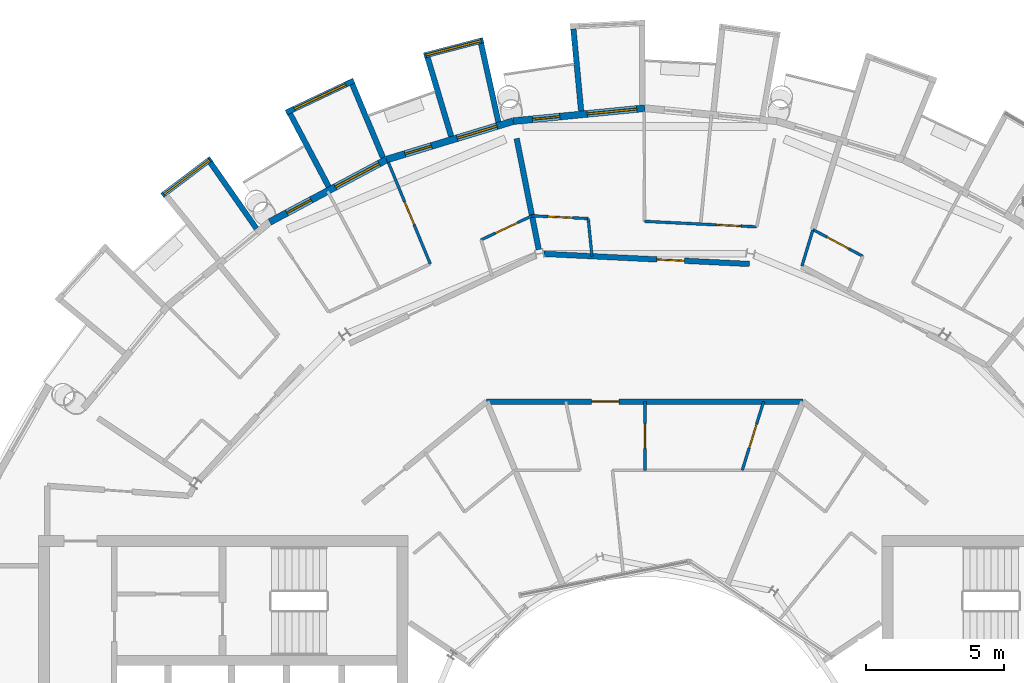
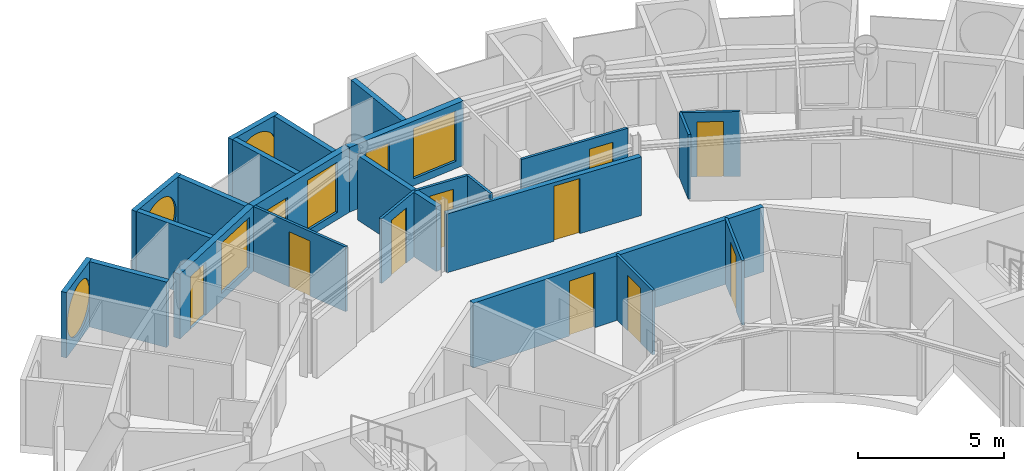
# One storey, part 21 of 27: 24 walls, 12 doors, 6 windows, 18 openings.
"""IFC4 building model written with IfcOpenShell, lengths in metres."""

import ifcopenshell
import ifcopenshell.guid

model = None  # the IFC model being written
_history = None  # IfcOwnerHistory: only IFC2X3 demands one
_inside = {}  # id of a spatial element -> (the spatial element, [elements in it])
_under = {}  # id of a project, library or spatial element -> (it, [spatial elements below it])
_declared = {}  # id of a project -> (the project, [libraries it declares])
_typed = {}  # id of a type object -> (the type object, [elements of that type])
_made_of = {}  # id of a material, layer set ... -> (it, [elements and type objects made of it])


def new_model(schema):
    """Start an empty IFC model of exactly this schema.

    Asked for "IFC4X3", IfcOpenShell would pick the latest addendum, in which some entities
    have other attributes; the version numbers below select the first issue.
    IFC2X3 requires an IfcOwnerHistory on every rooted entity: one is made here for all.
    """
    global model, _history
    if schema == "IFC4X3":
        model = ifcopenshell.file(schema_version=(4, 3, 0, 0))
    else:
        model = ifcopenshell.file(schema=schema)
    _inside.clear()
    _under.clear()
    _declared.clear()
    _typed.clear()
    _made_of.clear()
    _history = None
    if model.schema == "IFC2X3":
        org = make("IfcOrganization", Name="unknown")
        user = make(
            "IfcPersonAndOrganization",
            ThePerson=make("IfcPerson", FamilyName="unknown"),
            TheOrganization=org,
        )
        app = make(
            "IfcApplication",
            ApplicationDeveloper=org,
            Version="unknown",
            ApplicationFullName="unknown",
            ApplicationIdentifier="unknown",
        )
        _history = make(
            "IfcOwnerHistory",
            OwningUser=user,
            OwningApplication=app,
            ChangeAction="ADDED",
            CreationDate=0,
        )
    return model


def make(cls, **values):
    """One entity of the class cls with the attributes given. An attribute that is None is left unset."""
    return model.create_entity(
        cls, **{name: value for name, value in values.items() if value is not None}
    )


def rooted(cls, **values):
    """An entity with a GlobalId (a new one), such as an element, a storey or a relation."""
    return make(cls, GlobalId=ifcopenshell.guid.new(), OwnerHistory=_history, **values)


def si_unit(unit_type, name, prefix=None):
    """IfcSIUnit, for example si_unit("LENGTHUNIT", "METRE", prefix="MILLI")."""
    return make("IfcSIUnit", UnitType=unit_type, Prefix=prefix, Name=name)


def assignment(units):
    """IfcUnitAssignment: the units of a project."""
    return None if units is None else make("IfcUnitAssignment", Units=units)


def point(xyz):
    """IfcCartesianPoint."""
    return None if xyz is None else make("IfcCartesianPoint", Coordinates=xyz)


def direction(xyz):
    """IfcDirection."""
    return None if xyz is None else make("IfcDirection", DirectionRatios=xyz)


def frame(location, z_axis=None, x_axis=None):
    """IfcAxis2Placement3D, a coordinate frame: its origin and axes. An axis left out is left unset."""
    return make(
        "IfcAxis2Placement3D",
        Location=point(location),
        Axis=direction(z_axis),
        RefDirection=direction(x_axis),
    )


def frame_2d(location, x_axis=None):
    """IfcAxis2Placement2D, a coordinate frame in the plane: its origin and x axis."""
    return make(
        "IfcAxis2Placement2D", Location=point(location), RefDirection=direction(x_axis)
    )


def origin():
    """The frame at (0, 0, 0) with its axes left unset."""
    return frame((0.0, 0.0, 0.0))


def place(relative_to, where):
    """IfcLocalPlacement: puts the frame where relative to a parent placement (None: the world)."""
    return make(
        "IfcLocalPlacement", PlacementRelTo=relative_to, RelativePlacement=where
    )


def context(
    kind, dimensions, precision=None, world=None, true_north=None, identifier=None
):
    """IfcGeometricRepresentationContext, for example the 3D "Model" context."""
    return make(
        "IfcGeometricRepresentationContext",
        ContextIdentifier=identifier,
        ContextType=kind,
        CoordinateSpaceDimension=dimensions,
        Precision=precision,
        WorldCoordinateSystem=world,
        TrueNorth=true_north,
    )


def subcontext(parent, identifier, kind, view, scale=None):
    """IfcGeometricRepresentationSubContext, for example "Body" below "Model"."""
    return make(
        "IfcGeometricRepresentationSubContext",
        ContextIdentifier=identifier,
        ContextType=kind,
        ParentContext=parent,
        TargetScale=scale,
        TargetView=view,
    )


def project(units=None, contexts=None):
    """IfcProject with its units and contexts."""
    return rooted(
        "IfcProject",
        Name="project",
        RepresentationContexts=contexts,
        UnitsInContext=assignment(units),
    )


def spatial(cls, under=None, at=None, **own):
    """A site, building, storey or space (cls), placed at a placement, below another one or the project."""
    s = rooted(cls, ObjectPlacement=at, **own)
    if under is not None:
        _under.setdefault(under.id(), (under, []))[1].append(s)
    return s


def profile(cls, at=None, kind="AREA", **sizes):
    """A parametric profile (cls). Its sizes go by their IFC names, for example OverallWidth=200.0."""
    return make(cls, ProfileType=kind, Position=at, **sizes)


def rectangle(**sizes):
    """IfcRectangleProfileDef."""
    return profile("IfcRectangleProfileDef", **sizes)


def circle(**sizes):
    """IfcCircleProfileDef."""
    return profile("IfcCircleProfileDef", **sizes)


def extrude(swept, where, along, depth):
    """IfcExtrudedAreaSolid: the profile swept, set in the frame where, extruded along a direction by depth."""
    return make(
        "IfcExtrudedAreaSolid",
        SweptArea=swept,
        Position=where,
        ExtrudedDirection=direction(along),
        Depth=depth,
    )


def shape(context_of_items, identifier, shape_type, items):
    """IfcShapeRepresentation: the items that make up one representation, for example the "Body"."""
    return make(
        "IfcShapeRepresentation",
        ContextOfItems=context_of_items,
        RepresentationIdentifier=identifier,
        RepresentationType=shape_type,
        Items=items,
    )


def material(Name=None, Category=None):
    """IfcMaterial."""
    return make("IfcMaterial", Name=Name, Category=Category)


def layer(
    of_material, thickness, ventilated=None, Name=None, Category=None, Priority=None
):
    """IfcMaterialLayer: one layer of a wall or slab, of a material (None: an air gap)."""
    return make(
        "IfcMaterialLayer",
        Material=of_material,
        LayerThickness=thickness,
        IsVentilated=ventilated,
        Name=Name,
        Category=Category,
        Priority=Priority,
    )


def layer_set(layers, Name=None):
    """IfcMaterialLayerSet."""
    return make("IfcMaterialLayerSet", MaterialLayers=layers, LayerSetName=Name)


def made_of(thing, what):
    """Note that an element or type object is made of a material, layer set ...; save() writes the relation."""
    if what is not None:
        _made_of.setdefault(what.id(), (what, []))[1].append(thing)
    return thing


def type_object(cls, material=None, **own):
    """A type object (cls), such as IfcWallType, which elements share."""
    return made_of(rooted(cls, **own), material)


def element(
    cls,
    number,
    at=None,
    inside=None,
    cuts=None,
    type_object=None,
    material=None,
    context=None,
    identifier="Body",
    shape_type=None,
    held_by="IfcProductDefinitionShape",
    body=None,
    shapes=None,
    **own,
):
    """One element of the class cls, such as IfcWall. Its Tag is "e" and its number.

    at: its placement. inside: the storey or other place that contains it. cuts: it is an
    opening in that element (IfcRelVoidsElement). A single representation is given by context,
    identifier, shape_type and body (its items); several are given by shapes. held_by: the class
    of the entity that holds the representations. save() writes the other relations.
    """
    e = rooted(cls, Tag="e%d" % number, ObjectPlacement=at, **own)
    if body is not None:
        shapes = [shape(context, identifier, shape_type, body)]
    if shapes is not None:
        e.Representation = make(held_by, Representations=shapes)
    if inside is not None:
        _inside.setdefault(inside.id(), (inside, []))[1].append(e)
    if cuts is not None:
        rooted(
            "IfcRelVoidsElement", RelatingBuildingElement=cuts, RelatedOpeningElement=e
        )
    if type_object is not None:
        _typed.setdefault(type_object.id(), (type_object, []))[1].append(e)
    return made_of(e, material)


def fill(opening, filler):
    """IfcRelFillsElement: the door or window that sits in an opening."""
    return rooted(
        "IfcRelFillsElement",
        RelatingOpeningElement=opening,
        RelatedBuildingElement=filler,
    )


def aggregate(whole, parts):
    """IfcRelAggregates: a whole, such as a stair, and the parts it consists of."""
    return rooted("IfcRelAggregates", RelatingObject=whole, RelatedObjects=parts)


def save(model, path):
    """Write the relations noted so far, then the file.

    IfcRelAggregates (storeys below a building ...), IfcRelContainedInSpatialStructure (elements
    in a storey), IfcRelDefinesByType, IfcRelAssociatesMaterial and IfcRelDeclares: one each for
    every whole, place, type object, material and project.
    """
    for whole, parts in _under.values():
        aggregate(whole, parts)
    for where, things in _inside.values():
        rooted(
            "IfcRelContainedInSpatialStructure",
            RelatedElements=things,
            RelatingStructure=where,
        )
    for kind, things in _typed.values():
        rooted("IfcRelDefinesByType", RelatedObjects=things, RelatingType=kind)
    for what, things in _made_of.values():
        rooted("IfcRelAssociatesMaterial", RelatedObjects=things, RelatingMaterial=what)
    for by, libraries in _declared.values():
        rooted("IfcRelDeclares", RelatingContext=by, RelatedDefinitions=libraries)
    model.write(path)


model = new_model("IFC4")

# Units and contexts
model_context = context("Model", 3, precision=1e-05, world=origin(), true_north=direction((0.0, 1.0)))
body_context = subcontext(model_context, "Body", "Model", "MODEL_VIEW")
ifc_project = project(units=[si_unit("LENGTHUNIT", "METRE"), si_unit("AREAUNIT", "SQUARE_METRE"), si_unit("VOLUMEUNIT", "CUBIC_METRE"), si_unit("PLANEANGLEUNIT", "RADIAN"), si_unit("MASSUNIT", "GRAM", prefix="KILO")], contexts=[model_context])

# Site, building, storey
site_placement = place(None, origin())
site = spatial("IfcSite", under=ifc_project, at=site_placement, CompositionType="ELEMENT")
building_placement = place(site_placement, origin())
building = spatial("IfcBuilding", under=site, at=building_placement, Name="Maasbend Ring Residences", CompositionType="ELEMENT")
storey_placement = place(building_placement, frame((0.0, 0.0, 243.199951171875)))
storey = spatial("IfcBuildingStorey", under=building, at=storey_placement, Name="L70", CompositionType="ELEMENT", Elevation=243.199951171875)

# Wall, opening, door
ifc_material_1 = material(Name="Concrete C30/37", Category="concrete")
ifc_layer_1 = layer(ifc_material_1, 0.199951171875)
ifc_layer_set_1 = layer_set([ifc_layer_1], Name="Concrete C30/37")
wall_type_1 = type_object("IfcWallType", Name="CORRIDOR WALL 200 CONCRETE", PredefinedType="PARTITIONING", material=ifc_layer_set_1)
wall_1_placement = place(storey_placement, frame((-5.739990234375, 13.85791015625, 0.0), z_axis=(0.0, 0.0, 1.0), x_axis=(1.0, 0.0, 0.0)))
wall_1 = element("IfcWall", 1, at=wall_1_placement, inside=storey, type_object=wall_type_1, Name="U-L70-w105", PredefinedType="PARTITIONING", context=body_context, shape_type="SweptSolid", body=[
    extrude(rectangle(XDim=11.47998046875, YDim=0.199951171875, at=frame_2d((5.739990234375, 0.0))), origin(), (0.0, 0.0, 1.0), 2.699951171875),
])
opening_1_placement = place(wall_1_placement, frame((3.804931640625, 0.0, 0.0)))
opening_1 = element("IfcOpeningElement", 2, at=opening_1_placement, cuts=wall_1, Name="Opening D-7024", PredefinedType="OPENING", context=body_context, shape_type="SweptSolid", body=[
    extrude(rectangle(XDim=1.0, YDim=2.300048828125, at=frame_2d((0.5, 1.14990234375))), frame((0.0, 0.10986328125, 0.0), z_axis=(0.0, -1.0, 0.0), x_axis=(1.0, 0.0, 0.0)), (0.0, 0.0, 1.0), 0.219970703125),
])
ifc_material_2 = material(Name="Timber, fire-rated, painted", Category="wood")
door_type_1 = type_object("IfcDoorType", Name="FLAT ENTRANCE DOOR 1000 X 2300 FIRE-RATED", OperationType="NOTDEFINED", PredefinedType="DOOR", material=ifc_material_2)
door_1_placement = place(opening_1_placement, origin())
door_1 = element("IfcDoor", 3, at=door_1_placement, inside=storey, type_object=door_type_1, Name="D-7024", OperationType="SINGLE_SWING_LEFT", OverallHeight=2.300048828125, OverallWidth=1.0, PredefinedType="DOOR", context=body_context, shape_type="SweptSolid", body=[
    extrude(rectangle(XDim=1.0, YDim=2.300048828125, at=frame_2d((0.5, 1.14990234375))), frame((0.0, 0.02490234375, 0.0), z_axis=(0.0, -1.0, 0.0), x_axis=(1.0, 0.0, 0.0)), (0.0, 0.0, 1.0), 0.050048828125),
])
fill(opening_1, door_1)

wall_2_placement = place(storey_placement, frame((-3.6689453125, 19.215087890625, 0.0), z_axis=(0.0, 0.0, 1.0), x_axis=(0.998797907728, -0.049017746978, 0.0)))
wall_2 = element("IfcWall", 4, at=wall_2_placement, inside=storey, type_object=wall_type_1, Name="U-L70-w109", PredefinedType="PARTITIONING", context=body_context, shape_type="SweptSolid", body=[
    extrude(rectangle(XDim=7.466064453125, YDim=0.199951171875, at=frame_2d((3.73291015625, 0.0))), origin(), (0.0, 0.0, 1.0), 2.449951171875),
])
opening_2_placement = place(wall_2_placement, frame((4.10693359375, 0.0, 0.0)))
opening_2 = element("IfcOpeningElement", 5, at=opening_2_placement, cuts=wall_2, Name="Opening D-7008", PredefinedType="OPENING", context=body_context, shape_type="SweptSolid", body=[
    extrude(rectangle(XDim=1.0, YDim=2.300048828125, at=frame_2d((0.5, 1.14990234375))), frame((0.0, 0.10986328125, 0.0), z_axis=(0.0, -1.0, 0.0), x_axis=(1.0, 0.0, 0.0)), (0.0, 0.0, 1.0), 0.219970703125),
])
door_2_placement = place(opening_2_placement, origin())
door_2 = element("IfcDoor", 6, at=door_2_placement, inside=storey, type_object=door_type_1, Name="D-7008", OperationType="SINGLE_SWING_RIGHT", OverallHeight=2.300048828125, OverallWidth=1.0, PredefinedType="DOOR", context=body_context, shape_type="SweptSolid", body=[
    extrude(rectangle(XDim=1.0, YDim=2.300048828125, at=frame_2d((0.5, 1.14990234375))), frame((0.0, 0.02490234375, 0.0), z_axis=(0.0, -1.0, 0.0), x_axis=(1.0, 0.0, 0.0)), (0.0, 0.0, 1.0), 0.050048828125),
])
fill(opening_2, door_2)

# Wall
ifc_material_3 = material(Name="Pale anodised aluminium panel", Category="aluminium")
ifc_layer_2 = layer(ifc_material_3, 0.199951171875)
ifc_layer_set_2 = layer_set([ifc_layer_2], Name="EW-BOX")
wall_type_2 = type_object("IfcWallType", Name="EW-BOX", PredefinedType="SOLIDWALL", material=ifc_layer_set_2)
wall_3_placement = place(storey_placement, frame((-2.31396484375, 24.39794921875, -0.030029296875), z_axis=(0.0, 0.0, 1.0), x_axis=(-0.094235386483, 0.99554994447, 0.0)))
element("IfcWall", 7, at=wall_3_placement, inside=storey, type_object=wall_type_2, Name="Box side wall N11 right", PredefinedType="SOLIDWALL", context=body_context, shape_type="SweptSolid", body=[
    extrude(rectangle(XDim=2.992431640625, YDim=0.199951171875, at=frame_2d((1.49609375, 0.0))), origin(), (0.0, 0.0, 1.0), 2.72998046875),
])

# Wall, opening, window
wall_4_placement = place(storey_placement, frame((-5.865966796875, 26.969970703125, -0.030029296875), z_axis=(0.0, 0.0, 1.0), x_axis=(-0.967710555359, -0.252064041557, 0.0)))
wall_4 = element("IfcWall", 8, at=wall_4_placement, inside=storey, type_object=wall_type_2, Name="Box front N13", PredefinedType="SOLIDWALL", context=body_context, shape_type="SweptSolid", body=[
    extrude(rectangle(XDim=2.221923828125, YDim=0.199951171875, at=frame_2d((1.11083984375, 0.0))), origin(), (0.0, 0.0, 1.0), 2.72998046875),
])
opening_3_placement = place(wall_4_placement, frame((0.070556640625, 0.0, 0.330078125)))
opening_3 = element("IfcOpeningElement", 9, at=opening_3_placement, cuts=wall_4, Name="Opening W-RD", PredefinedType="OPENING", context=body_context, shape_type="SweptSolid", body=[
    extrude(circle(Radius=1.0400390625, at=frame_2d((1.0400390625, 1.0400390625))), frame((0.0, 0.10986328125, 0.0), z_axis=(0.0, -1.0, 0.0), x_axis=(1.0, 0.0, 0.0)), (0.0, 0.0, 1.0), 0.219970703125),
])
ifc_material_4 = material(Name="Aluminium and clear glass", Category="aluminium")
window_type_1 = type_object("IfcWindowType", Name="W-RD", PartitioningType="SINGLE_PANEL", PredefinedType="WINDOW", material=ifc_material_4)
window_1_placement = place(opening_3_placement, origin())
window_1 = element("IfcWindow", 10, at=window_1_placement, inside=storey, type_object=window_type_1, Name="Round window N13", OverallHeight=2.080078125, OverallWidth=2.080078125, PartitioningType="SINGLE_PANEL", PredefinedType="WINDOW", context=body_context, shape_type="SweptSolid", body=[
    extrude(circle(Radius=1.0400390625, at=frame_2d((1.0400390625, 1.0400390625))), frame((0.0, 0.030029296875, 0.0), z_axis=(0.0, -1.0, 0.0), x_axis=(1.0, 0.0, 0.0)), (0.0, 0.0, 1.0), 0.06005859375),
])
fill(opening_3, window_1)

# Walls
wall_5_placement = place(storey_placement, frame((-5.31396484375, 23.998046875, -0.030029296875), z_axis=(0.0, 0.0, 1.0), x_axis=(-0.216443576636, 0.976295128603, 0.0)))
element("IfcWall", 11, at=wall_5_placement, inside=storey, type_object=wall_type_2, Name="Box side wall N13 left", PredefinedType="SOLIDWALL", context=body_context, shape_type="SweptSolid", body=[
    extrude(rectangle(XDim=2.92041015625, YDim=0.199951171875, at=frame_2d((1.460205078125, 0.0))), origin(), (0.0, 0.0, 1.0), 2.72998046875),
])
wall_6_placement = place(storey_placement, frame((-7.029052734375, 23.47705078125, -0.030029296875), z_axis=(0.0, 0.0, 1.0), x_axis=(-0.286681681931, 0.958025893828, 0.0)))
element("IfcWall", 12, at=wall_6_placement, inside=storey, type_object=wall_type_2, Name="Box side wall N13 right", PredefinedType="SOLIDWALL", context=body_context, shape_type="SweptSolid", body=[
    extrude(rectangle(XDim=2.992431640625, YDim=0.199951171875, at=frame_2d((1.49609375, 0.0))), origin(), (0.0, 0.0, 1.0), 2.72998046875),
])

# Wall, opening, window
wall_7_placement = place(storey_placement, frame((-10.55810546875, 25.5009765625, -0.030029296875), z_axis=(0.0, 0.0, 1.0), x_axis=(-0.904004727627, -0.42752245839, 0.0)))
wall_7 = element("IfcWall", 13, at=wall_7_placement, inside=storey, type_object=wall_type_2, Name="Box front N15", PredefinedType="SOLIDWALL", context=body_context, shape_type="SweptSolid", body=[
    extrude(rectangle(XDim=2.7177734375, YDim=0.199951171875, at=frame_2d((1.35888671875, 0.0))), origin(), (0.0, 0.0, 1.0), 2.72998046875),
])
opening_4_placement = place(wall_7_placement, frame((0.319091796875, 0.0, 0.330078125)))
opening_4 = element("IfcOpeningElement", 14, at=opening_4_placement, cuts=wall_7, Name="Opening W-RD", PredefinedType="OPENING", context=body_context, shape_type="SweptSolid", body=[
    extrude(circle(Radius=1.0400390625, at=frame_2d((1.0400390625, 1.0400390625))), frame((0.0, 0.10986328125, 0.0), z_axis=(0.0, -1.0, 0.0), x_axis=(1.0, 0.0, 0.0)), (0.0, 0.0, 1.0), 0.219970703125),
])
window_2_placement = place(opening_4_placement, origin())
window_2 = element("IfcWindow", 15, at=window_2_placement, inside=storey, type_object=window_type_1, Name="Round window N15", OverallHeight=2.080078125, OverallWidth=2.080078125, PartitioningType="SINGLE_PANEL", PredefinedType="WINDOW", context=body_context, shape_type="SweptSolid", body=[
    extrude(circle(Radius=1.0400390625, at=frame_2d((1.0400390625, 1.0400390625))), frame((0.0, 0.030029296875, 0.0), z_axis=(0.0, -1.0, 0.0), x_axis=(1.0, 0.0, 0.0)), (0.0, 0.0, 1.0), 0.06005859375),
])
fill(opening_4, window_2)

# Walls
wall_8_placement = place(storey_placement, frame((-9.5029296875, 22.708984375, -0.030029296875), z_axis=(0.0, 0.0, 1.0), x_axis=(-0.386136412103, 0.922441689891, 0.0)))
element("IfcWall", 16, at=wall_8_placement, inside=storey, type_object=wall_type_2, Name="Box side wall N15 left", PredefinedType="SOLIDWALL", context=body_context, shape_type="SweptSolid", body=[
    extrude(rectangle(XDim=2.882568359375, YDim=0.199951171875, at=frame_2d((1.44140625, 0.0))), origin(), (0.0, 0.0, 1.0), 2.72998046875),
])
wall_9_placement = place(storey_placement, frame((-11.47509765625, 21.655029296875, -0.030029296875), z_axis=(0.0, 0.0, 1.0), x_axis=(-0.467917715158, 0.883772036128, 0.0)))
element("IfcWall", 17, at=wall_9_placement, inside=storey, type_object=wall_type_2, Name="Box side wall N15 right", PredefinedType="SOLIDWALL", context=body_context, shape_type="SweptSolid", body=[
    extrude(rectangle(XDim=2.99169921875, YDim=0.199951171875, at=frame_2d((1.495849609375, 0.0))), origin(), (0.0, 0.0, 1.0), 2.72998046875),
])

# Wall, opening, window
wall_10_placement = place(storey_placement, frame((-15.739990234375, 22.672119140625, -0.030029296875), z_axis=(0.0, 0.0, 1.0), x_axis=(-0.797805050803, -0.602915500641, 0.0)))
wall_10 = element("IfcWall", 18, at=wall_10_placement, inside=storey, type_object=wall_type_2, Name="Box front N17", PredefinedType="SOLIDWALL", context=body_context, shape_type="SweptSolid", body=[
    extrude(rectangle(XDim=2.220947265625, YDim=0.199951171875, at=frame_2d((1.1103515625, 0.0))), origin(), (0.0, 0.0, 1.0), 2.72998046875),
])
opening_5_placement = place(wall_10_placement, frame((0.070556640625, 0.0, 0.330078125)))
opening_5 = element("IfcOpeningElement", 19, at=opening_5_placement, cuts=wall_10, Name="Opening W-RD", PredefinedType="OPENING", context=body_context, shape_type="SweptSolid", body=[
    extrude(circle(Radius=1.0400390625, at=frame_2d((1.0400390625, 1.0400390625))), frame((0.0, 0.10986328125, 0.0), z_axis=(0.0, -1.0, 0.0), x_axis=(1.0, 0.0, 0.0)), (0.0, 0.0, 1.0), 0.219970703125),
])
window_3_placement = place(opening_5_placement, origin())
window_3 = element("IfcWindow", 20, at=window_3_placement, inside=storey, type_object=window_type_1, Name="Round window N17", OverallHeight=2.080078125, OverallWidth=2.080078125, PartitioningType="SINGLE_PANEL", PredefinedType="WINDOW", context=body_context, shape_type="SweptSolid", body=[
    extrude(circle(Radius=1.0400390625, at=frame_2d((1.0400390625, 1.0400390625))), frame((0.0, 0.030029296875, 0.0), z_axis=(0.0, -1.0, 0.0), x_axis=(1.0, 0.0, 0.0)), (0.0, 0.0, 1.0), 0.06005859375),
])
fill(opening_5, window_3)

# Wall
wall_11_placement = place(storey_placement, frame((-14.093017578125, 20.137939453125, -0.030029296875), z_axis=(0.0, 0.0, 1.0), x_axis=(-0.573596998419, 0.81913764619, 0.0)))
element("IfcWall", 21, at=wall_11_placement, inside=storey, type_object=wall_type_2, Name="Box side wall N17 left", PredefinedType="SOLIDWALL", context=body_context, shape_type="SweptSolid", body=[
    extrude(rectangle(XDim=2.920166015625, YDim=0.199951171875, at=frame_2d((1.4599609375, 0.0))), origin(), (0.0, 0.0, 1.0), 2.72998046875),
])

# Wall, openings, door, window
ifc_material_5 = material(Name="Aluminium clad insulated panel", Category="aluminium")
ifc_layer_3 = layer(ifc_material_5, 0.25)
ifc_layer_set_3 = layer_set([ifc_layer_3], Name="EW-GL")
wall_type_3 = type_object("IfcWallType", Name="EW-GL", PredefinedType="SOLIDWALL", material=ifc_layer_set_3)
wall_12_placement = place(storey_placement, frame((0.0, 24.5, 0.0), z_axis=(0.0, 0.0, 1.0), x_axis=(-0.995181568754, -0.098049197923, 0.0)))
wall_12 = element("IfcWall", 22, at=wall_12_placement, inside=storey, type_object=wall_type_3, Name="External wall N06", PredefinedType="SOLIDWALL", context=body_context, shape_type="SweptSolid", body=[
    extrude(rectangle(XDim=4.80322265625, YDim=0.25, at=frame_2d((2.401611328125, 0.0))), origin(), (0.0, 0.0, 1.0), 2.699951171875),
])
opening_6_placement = place(wall_12_placement, frame((0.3037109375, 0.0, 0.300048828125)))
opening_6 = element("IfcOpeningElement", 23, at=opening_6_placement, cuts=wall_12, Name="Opening W-BX", PredefinedType="OPENING", context=body_context, shape_type="SweptSolid", body=[
    extrude(rectangle(XDim=1.800048828125, YDim=2.10009765625, at=frame_2d((0.89990234375, 1.050048828125))), frame((0.0, 0.135009765625, 0.0), z_axis=(0.0, -1.0, 0.0), x_axis=(1.0, 0.0, 0.0)), (0.0, 0.0, 1.0), 0.27001953125),
])
opening_7_placement = place(wall_12_placement, frame((3.09912109375, 0.0, 0.0)))
opening_7 = element("IfcOpeningElement", 24, at=opening_7_placement, cuts=wall_12, Name="Opening D-LG", PredefinedType="OPENING", context=body_context, shape_type="SweptSolid", body=[
    extrude(rectangle(XDim=1.0, YDim=2.199951171875, at=frame_2d((0.5, 1.10009765625))), frame((0.0, 0.135009765625, 0.0), z_axis=(0.0, -1.0, 0.0), x_axis=(1.0, 0.0, 0.0)), (0.0, 0.0, 1.0), 0.27001953125),
])
ifc_material_6 = material(Name="Aluminium and clear glass", Category="aluminium")
door_type_2 = type_object("IfcDoorType", Name="D-LG", OperationType="SINGLE_SWING_LEFT", PredefinedType="DOOR", material=ifc_material_6)
door_3_placement = place(opening_7_placement, origin())
door_3 = element("IfcDoor", 25, at=door_3_placement, inside=storey, type_object=door_type_2, Name="Loggia door N12", OperationType="SINGLE_SWING_LEFT", OverallHeight=2.199951171875, OverallWidth=1.0, PredefinedType="DOOR", context=body_context, shape_type="SweptSolid", body=[
    extrude(rectangle(XDim=1.0, YDim=2.199951171875, at=frame_2d((0.5, 1.10009765625))), frame((0.0, 0.02490234375, 0.0), z_axis=(0.0, -1.0, 0.0), x_axis=(1.0, 0.0, 0.0)), (0.0, 0.0, 1.0), 0.050048828125),
])
fill(opening_7, door_3)
ifc_material_7 = material(Name="Aluminium and clear glass", Category="aluminium")
window_type_2 = type_object("IfcWindowType", Name="W-BX", PartitioningType="DOUBLE_PANEL_VERTICAL", PredefinedType="WINDOW", material=ifc_material_7)
window_4_placement = place(opening_6_placement, origin())
window_4 = element("IfcWindow", 26, at=window_4_placement, inside=storey, type_object=window_type_2, Name="Window N11 room to box", OverallHeight=2.10009765625, OverallWidth=1.800048828125, PartitioningType="SINGLE_PANEL", PredefinedType="WINDOW", context=body_context, shape_type="SweptSolid", body=[
    extrude(rectangle(XDim=1.800048828125, YDim=2.10009765625, at=frame_2d((0.89990234375, 1.050048828125))), frame((0.0, 0.030029296875, 0.0), z_axis=(0.0, -1.0, 0.0), x_axis=(1.0, 0.0, 0.0)), (0.0, 0.0, 1.0), 0.06005859375),
])
fill(opening_6, window_4)

wall_13_placement = place(storey_placement, frame((-4.780029296875, 24.029052734375, 0.0), z_axis=(0.0, 0.0, 1.0), x_axis=(-0.956947414517, -0.290261340605, 0.0)))
wall_13 = element("IfcWall", 27, at=wall_13_placement, inside=storey, type_object=wall_type_3, Name="External wall N07", PredefinedType="SOLIDWALL", context=body_context, shape_type="SweptSolid", body=[
    extrude(rectangle(XDim=4.802734375, YDim=0.25, at=frame_2d((2.4013671875, 0.0))), origin(), (0.0, 0.0, 1.0), 2.699951171875),
])
opening_8_placement = place(wall_13_placement, frame((0.6201171875, 0.0, 0.300048828125)))
opening_8 = element("IfcOpeningElement", 28, at=opening_8_placement, cuts=wall_13, Name="Opening W-BN", PredefinedType="OPENING", context=body_context, shape_type="SweptSolid", body=[
    extrude(rectangle(XDim=1.5, YDim=2.10009765625, at=frame_2d((0.75, 1.050048828125))), frame((0.0, 0.135009765625, 0.0), z_axis=(0.0, -1.0, 0.0), x_axis=(1.0, 0.0, 0.0)), (0.0, 0.0, 1.0), 0.27001953125),
])
opening_9_placement = place(wall_13_placement, frame((3.09912109375, 0.0, 0.0)))
opening_9 = element("IfcOpeningElement", 29, at=opening_9_placement, cuts=wall_13, Name="Opening D-LG", PredefinedType="OPENING", context=body_context, shape_type="SweptSolid", body=[
    extrude(rectangle(XDim=1.0, YDim=2.199951171875, at=frame_2d((0.5, 1.10009765625))), frame((0.0, 0.135009765625, 0.0), z_axis=(0.0, -1.0, 0.0), x_axis=(1.0, 0.0, 0.0)), (0.0, 0.0, 1.0), 0.27001953125),
])
door_4_placement = place(opening_9_placement, origin())
door_4 = element("IfcDoor", 30, at=door_4_placement, inside=storey, type_object=door_type_2, Name="Loggia door N14", OperationType="SINGLE_SWING_LEFT", OverallHeight=2.199951171875, OverallWidth=1.0, PredefinedType="DOOR", context=body_context, shape_type="SweptSolid", body=[
    extrude(rectangle(XDim=1.0, YDim=2.199951171875, at=frame_2d((0.5, 1.10009765625))), frame((0.0, 0.02490234375, 0.0), z_axis=(0.0, -1.0, 0.0), x_axis=(1.0, 0.0, 0.0)), (0.0, 0.0, 1.0), 0.050048828125),
])
fill(opening_9, door_4)
ifc_material_8 = material(Name="Aluminium and clear glass", Category="aluminium")
window_type_3 = type_object("IfcWindowType", Name="W-BN", PartitioningType="SINGLE_PANEL", PredefinedType="WINDOW", material=ifc_material_8)
window_5_placement = place(opening_8_placement, origin())
window_5 = element("IfcWindow", 31, at=window_5_placement, inside=storey, type_object=window_type_3, Name="Window N13 room to box", OverallHeight=2.10009765625, OverallWidth=1.5, PartitioningType="SINGLE_PANEL", PredefinedType="WINDOW", context=body_context, shape_type="SweptSolid", body=[
    extrude(rectangle(XDim=1.5, YDim=2.10009765625, at=frame_2d((0.75, 1.050048828125))), frame((0.0, 0.030029296875, 0.0), z_axis=(0.0, -1.0, 0.0), x_axis=(1.0, 0.0, 0.0)), (0.0, 0.0, 1.0), 0.06005859375),
])
fill(opening_8, window_5)

wall_14_placement = place(storey_placement, frame((-9.3759765625, 22.635009765625, 0.0), z_axis=(0.0, 0.0, 1.0), x_axis=(-0.881903608701, -0.471429766731, 0.0)))
wall_14 = element("IfcWall", 32, at=wall_14_placement, inside=storey, type_object=wall_type_3, Name="External wall N08", PredefinedType="SOLIDWALL", context=body_context, shape_type="SweptSolid", body=[
    extrude(rectangle(XDim=4.80224609375, YDim=0.25, at=frame_2d((2.401123046875, 0.0))), origin(), (0.0, 0.0, 1.0), 2.699951171875),
])
opening_10_placement = place(wall_14_placement, frame((0.3037109375, 0.0, 0.300048828125)))
opening_10 = element("IfcOpeningElement", 33, at=opening_10_placement, cuts=wall_14, Name="Opening W-BX", PredefinedType="OPENING", context=body_context, shape_type="SweptSolid", body=[
    extrude(rectangle(XDim=1.800048828125, YDim=2.10009765625, at=frame_2d((0.89990234375, 1.050048828125))), frame((0.0, 0.135009765625, 0.0), z_axis=(0.0, -1.0, 0.0), x_axis=(1.0, 0.0, 0.0)), (0.0, 0.0, 1.0), 0.27001953125),
])
opening_11_placement = place(wall_14_placement, frame((3.09912109375, 0.0, 0.0)))
opening_11 = element("IfcOpeningElement", 34, at=opening_11_placement, cuts=wall_14, Name="Opening D-LG", PredefinedType="OPENING", context=body_context, shape_type="SweptSolid", body=[
    extrude(rectangle(XDim=1.0, YDim=2.199951171875, at=frame_2d((0.5, 1.10009765625))), frame((0.0, 0.135009765625, 0.0), z_axis=(0.0, -1.0, 0.0), x_axis=(1.0, 0.0, 0.0)), (0.0, 0.0, 1.0), 0.27001953125),
])
door_5_placement = place(opening_11_placement, origin())
door_5 = element("IfcDoor", 35, at=door_5_placement, inside=storey, type_object=door_type_2, Name="Loggia door N16", OperationType="SINGLE_SWING_LEFT", OverallHeight=2.199951171875, OverallWidth=1.0, PredefinedType="DOOR", context=body_context, shape_type="SweptSolid", body=[
    extrude(rectangle(XDim=1.0, YDim=2.199951171875, at=frame_2d((0.5, 1.10009765625))), frame((0.0, 0.02490234375, 0.0), z_axis=(0.0, -1.0, 0.0), x_axis=(1.0, 0.0, 0.0)), (0.0, 0.0, 1.0), 0.050048828125),
])
fill(opening_11, door_5)
window_6_placement = place(opening_10_placement, origin())
window_6 = element("IfcWindow", 36, at=window_6_placement, inside=storey, type_object=window_type_2, Name="Window N15 room to box", OverallHeight=2.10009765625, OverallWidth=1.800048828125, PartitioningType="SINGLE_PANEL", PredefinedType="WINDOW", context=body_context, shape_type="SweptSolid", body=[
    extrude(rectangle(XDim=1.800048828125, YDim=2.10009765625, at=frame_2d((0.89990234375, 1.050048828125))), frame((0.0, 0.030029296875, 0.0), z_axis=(0.0, -1.0, 0.0), x_axis=(1.0, 0.0, 0.0)), (0.0, 0.0, 1.0), 0.06005859375),
])
fill(opening_10, window_6)

# Wall, opening, door
ifc_material_9 = material(Name="Gypsum board on steel studs", Category="steel")
ifc_layer_4 = layer(ifc_material_9, 0.10009765625)
ifc_layer_set_4 = layer_set([ifc_layer_4], Name="PARTITION 100 GYPSUM")
wall_type_4 = type_object("IfcWallType", Name="PARTITION 100 GYPSUM", PredefinedType="PARTITIONING", material=ifc_layer_set_4)
wall_15_placement = place(storey_placement, frame((-9.305908203125, 22.529052734375, 0.0), z_axis=(0.0, 0.0, 1.0), x_axis=(0.381681535062, -0.924293895789, 0.0)))
wall_15 = element("IfcWall", 37, at=wall_15_placement, inside=storey, type_object=wall_type_4, Name="U-L70-w045", PredefinedType="PARTITIONING", context=body_context, shape_type="SweptSolid", body=[
    extrude(rectangle(XDim=3.979248046875, YDim=0.10009765625, at=frame_2d((1.98974609375, 0.0))), origin(), (0.0, 0.0, 1.0), 2.699951171875),
])
opening_12_placement = place(wall_15_placement, frame((1.5400390625, 0.0, 0.0)))
opening_12 = element("IfcOpeningElement", 38, at=opening_12_placement, cuts=wall_15, Name="Opening D-7015", PredefinedType="OPENING", context=body_context, shape_type="SweptSolid", body=[
    extrude(rectangle(XDim=0.89990234375, YDim=2.300048828125, at=frame_2d((0.449951171875, 1.14990234375))), frame((0.0, 0.06005859375, 0.0), z_axis=(0.0, -1.0, 0.0), x_axis=(1.0, 0.0, 0.0)), (0.0, 0.0, 1.0), 0.1201171875),
])
ifc_material_10 = material(Name="Timber, painted", Category="wood")
door_type_3 = type_object("IfcDoorType", Name="INTERNAL DOOR 900 X 2300", OperationType="NOTDEFINED", PredefinedType="DOOR", material=ifc_material_10)
door_6_placement = place(opening_12_placement, origin())
door_6 = element("IfcDoor", 39, at=door_6_placement, inside=storey, type_object=door_type_3, Name="D-7015", OperationType="SINGLE_SWING_LEFT", OverallHeight=2.300048828125, OverallWidth=0.89990234375, PredefinedType="DOOR", context=body_context, shape_type="SweptSolid", body=[
    extrude(rectangle(XDim=0.89990234375, YDim=2.300048828125, at=frame_2d((0.449951171875, 1.14990234375))), frame((0.0, 0.02490234375, 0.0), z_axis=(0.0, -1.0, 0.0), x_axis=(1.0, 0.0, 0.0)), (0.0, 0.0, 1.0), 0.050048828125),
])
fill(opening_12, door_6)

# Wall
wall_16_placement = place(storey_placement, frame((-2.05810546875, 20.49609375, 0.0), z_axis=(0.0, 0.0, 1.0), x_axis=(0.099926216162, -0.994994849898, 0.0)))
element("IfcWall", 40, at=wall_16_placement, inside=storey, type_object=wall_type_4, Name="U-L70-w059", PredefinedType="PARTITIONING", context=body_context, shape_type="SweptSolid", body=[
    extrude(rectangle(XDim=1.373046875, YDim=0.10009765625, at=frame_2d((0.6865234375, 0.0))), origin(), (0.0, 0.0, 1.0), 2.699951171875),
])

# Wall, opening, door
wall_17_placement = place(storey_placement, frame((0.0, 11.364013671875, 0.0), z_axis=(0.0, 0.0, 1.0), x_axis=(0.0, 1.0, 0.0)))
wall_17 = element("IfcWall", 41, at=wall_17_placement, inside=storey, type_object=wall_type_4, Name="U-L70-w064", PredefinedType="PARTITIONING", context=body_context, shape_type="SweptSolid", body=[
    extrude(rectangle(XDim=2.493896484375, YDim=0.10009765625, at=frame_2d((1.2470703125, 0.0))), origin(), (0.0, 0.0, 1.0), 2.699951171875),
])
opening_13_placement = place(wall_17_placement, frame((0.797119140625, 0.0, 0.0)))
opening_13 = element("IfcOpeningElement", 42, at=opening_13_placement, cuts=wall_17, Name="Opening D-7026", PredefinedType="OPENING", context=body_context, shape_type="SweptSolid", body=[
    extrude(rectangle(XDim=0.89990234375, YDim=2.300048828125, at=frame_2d((0.449951171875, 1.14990234375))), frame((0.0, 0.06005859375, 0.0), z_axis=(0.0, -1.0, 0.0), x_axis=(1.0, 0.0, 0.0)), (0.0, 0.0, 1.0), 0.1201171875),
])
door_7_placement = place(opening_13_placement, origin())
door_7 = element("IfcDoor", 43, at=door_7_placement, inside=storey, type_object=door_type_3, Name="D-7026", OperationType="SINGLE_SWING_RIGHT", OverallHeight=2.300048828125, OverallWidth=0.89990234375, PredefinedType="DOOR", context=body_context, shape_type="SweptSolid", body=[
    extrude(rectangle(XDim=0.89990234375, YDim=2.300048828125, at=frame_2d((0.449951171875, 1.14990234375))), frame((0.0, 0.02490234375, 0.0), z_axis=(0.0, -1.0, 0.0), x_axis=(1.0, 0.0, 0.0)), (0.0, 0.0, 1.0), 0.050048828125),
])
fill(opening_13, door_7)

wall_18_placement = place(storey_placement, frame((3.530029296875, 11.364013671875, 0.0), z_axis=(0.0, 0.0, 1.0), x_axis=(0.296725588533, 0.954962787291, 0.0)))
wall_18 = element("IfcWall", 44, at=wall_18_placement, inside=storey, type_object=wall_type_4, Name="U-L70-w070", PredefinedType="PARTITIONING", context=body_context, shape_type="SweptSolid", body=[
    extrude(rectangle(XDim=2.611572265625, YDim=0.10009765625, at=frame_2d((1.3056640625, 0.0))), origin(), (0.0, 0.0, 1.0), 2.699951171875),
])
opening_14_placement = place(wall_18_placement, frame((0.85595703125, 0.0, 0.0)))
opening_14 = element("IfcOpeningElement", 45, at=opening_14_placement, cuts=wall_18, Name="Opening D-7027", PredefinedType="OPENING", context=body_context, shape_type="SweptSolid", body=[
    extrude(rectangle(XDim=0.89990234375, YDim=2.300048828125, at=frame_2d((0.449951171875, 1.14990234375))), frame((0.0, 0.06005859375, 0.0), z_axis=(0.0, -1.0, 0.0), x_axis=(1.0, 0.0, 0.0)), (0.0, 0.0, 1.0), 0.1201171875),
])
door_8_placement = place(opening_14_placement, origin())
door_8 = element("IfcDoor", 46, at=door_8_placement, inside=storey, type_object=door_type_3, Name="D-7027", OperationType="SINGLE_SWING_RIGHT", OverallHeight=2.300048828125, OverallWidth=0.89990234375, PredefinedType="DOOR", context=body_context, shape_type="SweptSolid", body=[
    extrude(rectangle(XDim=0.89990234375, YDim=2.300048828125, at=frame_2d((0.449951171875, 1.14990234375))), frame((0.0, 0.02490234375, 0.0), z_axis=(0.0, -1.0, 0.0), x_axis=(1.0, 0.0, 0.0)), (0.0, 0.0, 1.0), 0.050048828125),
])
fill(opening_14, door_8)

wall_19_placement = place(storey_placement, frame((-5.946044921875, 19.721923828125, 0.0), z_axis=(0.0, 0.0, 1.0), x_axis=(0.904090755772, 0.427340502794, 0.0)))
wall_19 = element("IfcWall", 47, at=wall_19_placement, inside=storey, type_object=wall_type_4, Name="U-L70-w116", PredefinedType="PARTITIONING", context=body_context, shape_type="SweptSolid", body=[
    extrude(rectangle(XDim=2.040771484375, YDim=0.10009765625, at=frame_2d((1.0205078125, 0.0))), origin(), (0.0, 0.0, 1.0), 2.699951171875),
])
opening_15_placement = place(wall_19_placement, frame((0.574951171875, 0.0, 0.0)))
opening_15 = element("IfcOpeningElement", 48, at=opening_15_placement, cuts=wall_19, Name="Opening D-7014", PredefinedType="OPENING", context=body_context, shape_type="SweptSolid", body=[
    extrude(rectangle(XDim=0.89990234375, YDim=2.300048828125, at=frame_2d((0.449951171875, 1.14990234375))), frame((0.0, 0.06005859375, 0.0), z_axis=(0.0, -1.0, 0.0), x_axis=(1.0, 0.0, 0.0)), (0.0, 0.0, 1.0), 0.1201171875),
])
door_9_placement = place(opening_15_placement, origin())
door_9 = element("IfcDoor", 49, at=door_9_placement, inside=storey, type_object=door_type_3, Name="D-7014", OperationType="SINGLE_SWING_RIGHT", OverallHeight=2.300048828125, OverallWidth=0.89990234375, PredefinedType="DOOR", context=body_context, shape_type="SweptSolid", body=[
    extrude(rectangle(XDim=0.89990234375, YDim=2.300048828125, at=frame_2d((0.449951171875, 1.14990234375))), frame((0.0, 0.02490234375, 0.0), z_axis=(0.0, -1.0, 0.0), x_axis=(1.0, 0.0, 0.0)), (0.0, 0.0, 1.0), 0.050048828125),
])
fill(opening_15, door_9)

wall_20_placement = place(storey_placement, frame((-4.096923828125, 20.595947265625, 0.0), z_axis=(0.0, 0.0, 1.0), x_axis=(0.998802820655, -0.048917537259, 0.0)))
wall_20 = element("IfcWall", 50, at=wall_20_placement, inside=storey, type_object=wall_type_4, Name="U-L70-w117", PredefinedType="PARTITIONING", context=body_context, shape_type="SweptSolid", body=[
    extrude(rectangle(XDim=2.041259765625, YDim=0.10009765625, at=frame_2d((1.0205078125, 0.0))), origin(), (0.0, 0.0, 1.0), 2.699951171875),
])
opening_16_placement = place(wall_20_placement, frame((0.571044921875, 0.0, 0.0)))
opening_16 = element("IfcOpeningElement", 51, at=opening_16_placement, cuts=wall_20, Name="Opening D-7009", PredefinedType="OPENING", context=body_context, shape_type="SweptSolid", body=[
    extrude(rectangle(XDim=0.89990234375, YDim=2.300048828125, at=frame_2d((0.449951171875, 1.14990234375))), frame((0.0, 0.06005859375, 0.0), z_axis=(0.0, -1.0, 0.0), x_axis=(1.0, 0.0, 0.0)), (0.0, 0.0, 1.0), 0.1201171875),
])
door_10_placement = place(opening_16_placement, origin())
door_10 = element("IfcDoor", 52, at=door_10_placement, inside=storey, type_object=door_type_3, Name="D-7009", OperationType="SINGLE_SWING_RIGHT", OverallHeight=2.300048828125, OverallWidth=0.89990234375, PredefinedType="DOOR", context=body_context, shape_type="SweptSolid", body=[
    extrude(rectangle(XDim=0.89990234375, YDim=2.300048828125, at=frame_2d((0.449951171875, 1.14990234375))), frame((0.0, 0.02490234375, 0.0), z_axis=(0.0, -1.0, 0.0), x_axis=(1.0, 0.0, 0.0)), (0.0, 0.0, 1.0), 0.050048828125),
])
fill(opening_16, door_10)

wall_21_placement = place(storey_placement, frame((-0.02001953125, 20.39599609375, 0.0), z_axis=(0.0, 0.0, 1.0), x_axis=(0.998799466584, -0.048985973, 0.0)))
wall_21 = element("IfcWall", 53, at=wall_21_placement, inside=storey, type_object=wall_type_4, Name="U-L70-w118", PredefinedType="PARTITIONING", context=body_context, shape_type="SweptSolid", body=[
    extrude(rectangle(XDim=4.081787109375, YDim=0.10009765625, at=frame_2d((2.041015625, 0.0))), origin(), (0.0, 0.0, 1.0), 2.699951171875),
])
opening_17_placement = place(wall_21_placement, frame((2.612060546875, 0.0, 0.0)))
opening_17 = element("IfcOpeningElement", 54, at=opening_17_placement, cuts=wall_21, Name="Opening D-7011", PredefinedType="OPENING", context=body_context, shape_type="SweptSolid", body=[
    extrude(rectangle(XDim=0.89990234375, YDim=2.300048828125, at=frame_2d((0.449951171875, 1.14990234375))), frame((0.0, 0.06005859375, 0.0), z_axis=(0.0, -1.0, 0.0), x_axis=(1.0, 0.0, 0.0)), (0.0, 0.0, 1.0), 0.1201171875),
])
door_11_placement = place(opening_17_placement, origin())
door_11 = element("IfcDoor", 55, at=door_11_placement, inside=storey, type_object=door_type_3, Name="D-7011", OperationType="SINGLE_SWING_RIGHT", OverallHeight=2.300048828125, OverallWidth=0.89990234375, PredefinedType="DOOR", context=body_context, shape_type="SweptSolid", body=[
    extrude(rectangle(XDim=0.89990234375, YDim=2.300048828125, at=frame_2d((0.449951171875, 1.14990234375))), frame((0.0, 0.02490234375, 0.0), z_axis=(0.0, -1.0, 0.0), x_axis=(1.0, 0.0, 0.0)), (0.0, 0.0, 1.0), 0.050048828125),
])
fill(opening_17, door_11)

wall_22_placement = place(storey_placement, frame((6.095947265625, 20.095947265625, 0.0), z_axis=(0.0, 0.0, 1.0), x_axis=(0.881894091163, -0.471447570756, 0.0)))
wall_22 = element("IfcWall", 56, at=wall_22_placement, inside=storey, type_object=wall_type_4, Name="U-L70-w119", PredefinedType="PARTITIONING", context=body_context, shape_type="SweptSolid", body=[
    extrude(rectangle(XDim=2.049072265625, YDim=0.10009765625, at=frame_2d((1.0244140625, 0.0))), origin(), (0.0, 0.0, 1.0), 2.699951171875),
])
opening_18_placement = place(wall_22_placement, frame((0.574951171875, 0.0, 0.0)))
opening_18 = element("IfcOpeningElement", 57, at=opening_18_placement, cuts=wall_22, Name="Opening D-7005", PredefinedType="OPENING", context=body_context, shape_type="SweptSolid", body=[
    extrude(rectangle(XDim=0.89990234375, YDim=2.300048828125, at=frame_2d((0.449951171875, 1.14990234375))), frame((0.0, 0.06005859375, 0.0), z_axis=(0.0, -1.0, 0.0), x_axis=(1.0, 0.0, 0.0)), (0.0, 0.0, 1.0), 0.1201171875),
])
door_12_placement = place(opening_18_placement, origin())
door_12 = element("IfcDoor", 58, at=door_12_placement, inside=storey, type_object=door_type_3, Name="D-7005", OperationType="SINGLE_SWING_LEFT", OverallHeight=2.300048828125, OverallWidth=0.89990234375, PredefinedType="DOOR", context=body_context, shape_type="SweptSolid", body=[
    extrude(rectangle(XDim=0.89990234375, YDim=2.300048828125, at=frame_2d((0.449951171875, 1.14990234375))), frame((0.0, 0.02490234375, 0.0), z_axis=(0.0, -1.0, 0.0), x_axis=(1.0, 0.0, 0.0)), (0.0, 0.0, 1.0), 0.050048828125),
])
fill(opening_18, door_12)

# Walls
wall_23_placement = place(storey_placement, frame((5.696044921875, 18.77587890625, 0.0), z_axis=(0.0, 0.0, 1.0), x_axis=(0.290067250827, 0.957006264346, 0.0)))
element("IfcWall", 59, at=wall_23_placement, inside=storey, type_object=wall_type_4, Name="U-L70-w127", PredefinedType="PARTITIONING", context=body_context, shape_type="SweptSolid", body=[
    extrude(rectangle(XDim=1.3583984375, YDim=0.10009765625, at=frame_2d((0.67919921875, 0.0))), origin(), (0.0, 0.0, 1.0), 2.699951171875),
])
ifc_material_11 = material(Name="Concrete C30/37", Category="concrete")
ifc_layer_5 = layer(ifc_material_11, 0.199951171875)
ifc_layer_set_5 = layer_set([ifc_layer_5], Name="Concrete C30/37")
wall_type_5 = type_object("IfcWallType", Name="PARTY WALL 200 CONCRETE", PredefinedType="PARTITIONING", material=ifc_layer_set_5)
wall_24_placement = place(storey_placement, frame((-4.654052734375, 23.40087890625, 0.0), z_axis=(0.0, 0.0, 1.0), x_axis=(0.194916411385, -0.98081985735, 0.0)))
element("IfcWall", 60, at=wall_24_placement, inside=storey, type_object=wall_type_5, Name="U-L70-w055", PredefinedType="PARTITIONING", context=body_context, shape_type="SweptSolid", body=[
    extrude(rectangle(XDim=4.109619140625, YDim=0.199951171875, at=frame_2d((2.0546875, 0.0))), origin(), (0.0, 0.0, 1.0), 2.699951171875),
])

save(model, "model.ifc")
